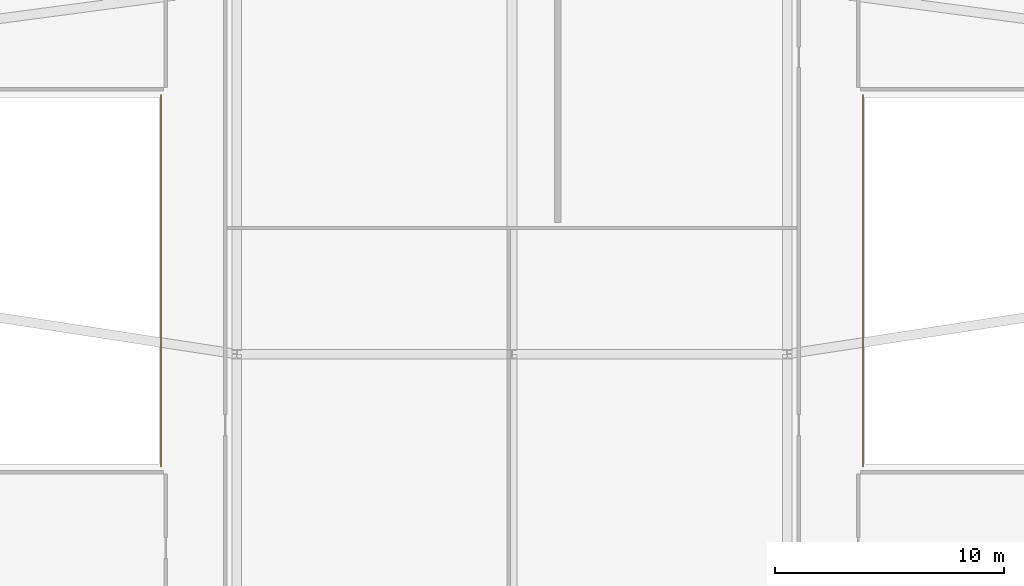
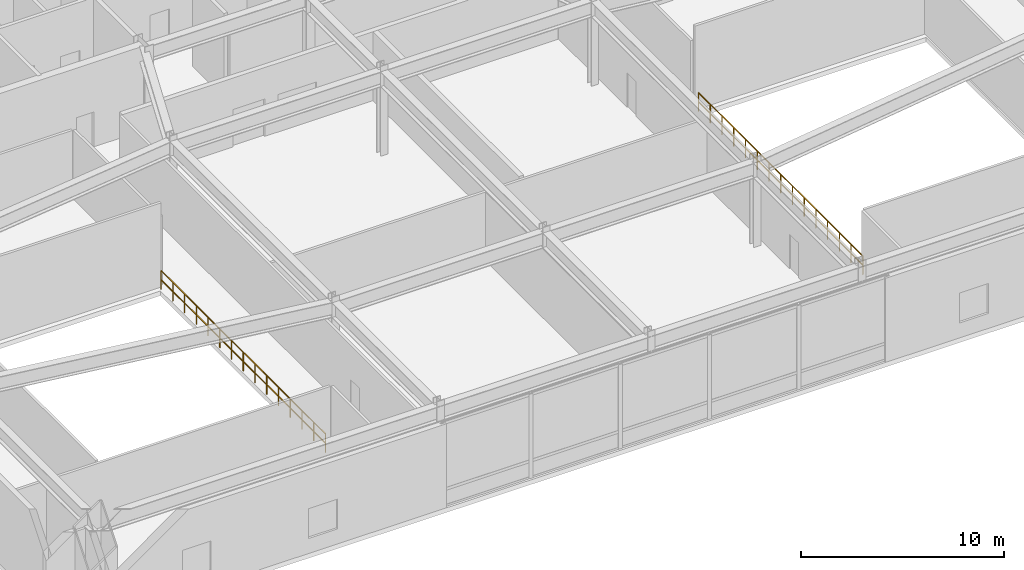
# One storey, part 12 of 13: 2 railings.
"""IFC4 building model written with IfcOpenShell, lengths in metres."""

from ifc_helpers import new_model, si_unit, direction, frame, origin, origin_2d, place, context, subcontext, project, spatial, rectangle, extrude, material, type_object, element, save


model = new_model("IFC4")

# Units and contexts
model_context = context("Model", 3, precision=1e-05, world=origin(), true_north=direction((0.0, 1.0)))
body_context = subcontext(model_context, "Body", "Model", "MODEL_VIEW")
ifc_project = project(units=[si_unit("LENGTHUNIT", "METRE"), si_unit("AREAUNIT", "SQUARE_METRE"), si_unit("VOLUMEUNIT", "CUBIC_METRE"), si_unit("PLANEANGLEUNIT", "RADIAN"), si_unit("MASSUNIT", "GRAM", prefix="KILO")], contexts=[model_context])

# Site, building, storey
site_placement = place(None, origin())
site = spatial("IfcSite", under=ifc_project, at=site_placement, CompositionType="ELEMENT")
building_placement = place(site_placement, origin())
building = spatial("IfcBuilding", under=site, at=building_placement, Name="Varnel Quay Broadcast Tower", CompositionType="ELEMENT")
storey_placement = place(building_placement, frame((0.0, 0.0, 16.800048828125)))
storey = spatial("IfcBuildingStorey", under=building, at=storey_placement, Name="L03", CompositionType="ELEMENT", Elevation=16.800048828125)

# Railings
ifc_material = material(Name="Anodised Bronze Aluminium 6063-T6", Category="aluminium")
railing_type = type_object("IfcRailingType", Name="Rail_Balustrade1150", PredefinedType="BALUSTRADE", material=ifc_material)
railing_1_placement = place(storey_placement, frame((18.699951171875, 7.10009765625, 0.0)))
element("IfcRailing", 1, at=railing_1_placement, inside=storey, type_object=railing_type, Name="L03 STDA Stage Gallery Safety Guard", PredefinedType="BALUSTRADE", context=body_context, shape_type="SweptSolid", body=[
    extrude(rectangle(XDim=0.048095703125, YDim=0.048095703125, at=origin_2d()), frame((0.0, 0.0, 1.1259765625), z_axis=(0.0, 1.0, 0.0), x_axis=(-1.0, 0.0, 0.0)), (0.0, 0.0, 1.0), 16.199951171875),
    extrude(rectangle(XDim=0.048095703125, YDim=0.048095703125, at=origin_2d()), frame((0.0, 0.0, 0.574951171875), z_axis=(0.0, 1.0, 0.0), x_axis=(-1.0, 0.0, 0.0)), (0.0, 0.0, 1.0), 16.199951171875),
    extrude(rectangle(XDim=0.0419921875, YDim=0.0419921875, at=origin_2d()), origin(), (0.0, 0.0, 1.0), 1.101806640625),
    extrude(rectangle(XDim=0.0419921875, YDim=0.0419921875, at=origin_2d()), frame((0.0, 1.1572265625, 0.0)), (0.0, 0.0, 1.0), 1.101806640625),
    extrude(rectangle(XDim=0.0419921875, YDim=0.0419921875, at=origin_2d()), frame((0.0, 2.314208984375, 0.0)), (0.0, 0.0, 1.0), 1.101806640625),
    extrude(rectangle(XDim=0.0419921875, YDim=0.0419921875, at=origin_2d()), frame((0.0, 3.471435546875, 0.0)), (0.0, 0.0, 1.0), 1.101806640625),
    extrude(rectangle(XDim=0.0419921875, YDim=0.0419921875, at=origin_2d()), frame((0.0, 4.628662109375, 0.0)), (0.0, 0.0, 1.0), 1.101806640625),
    extrude(rectangle(XDim=0.0419921875, YDim=0.0419921875, at=origin_2d()), frame((0.0, 5.78564453125, 0.0)), (0.0, 0.0, 1.0), 1.101806640625),
    extrude(rectangle(XDim=0.0419921875, YDim=0.0419921875, at=origin_2d()), frame((0.0, 6.94287109375, 0.0)), (0.0, 0.0, 1.0), 1.101806640625),
    extrude(rectangle(XDim=0.0419921875, YDim=0.0419921875, at=origin_2d()), frame((0.0, 8.10009765625, 0.0)), (0.0, 0.0, 1.0), 1.101806640625),
    extrude(rectangle(XDim=0.0419921875, YDim=0.0419921875, at=origin_2d()), frame((0.0, 9.257080078125, 0.0)), (0.0, 0.0, 1.0), 1.101806640625),
    extrude(rectangle(XDim=0.0419921875, YDim=0.0419921875, at=origin_2d()), frame((0.0, 10.414306640625, 0.0)), (0.0, 0.0, 1.0), 1.101806640625),
    extrude(rectangle(XDim=0.0419921875, YDim=0.0419921875, at=origin_2d()), frame((0.0, 11.5712890625, 0.0)), (0.0, 0.0, 1.0), 1.101806640625),
    extrude(rectangle(XDim=0.0419921875, YDim=0.0419921875, at=origin_2d()), frame((0.0, 12.728515625, 0.0)), (0.0, 0.0, 1.0), 1.101806640625),
    extrude(rectangle(XDim=0.0419921875, YDim=0.0419921875, at=origin_2d()), frame((0.0, 13.8857421875, 0.0)), (0.0, 0.0, 1.0), 1.101806640625),
    extrude(rectangle(XDim=0.0419921875, YDim=0.0419921875, at=origin_2d()), frame((0.0, 15.042724609375, 0.0)), (0.0, 0.0, 1.0), 1.101806640625),
    extrude(rectangle(XDim=0.0419921875, YDim=0.0419921875, at=origin_2d()), frame((0.0, 16.199951171875, 0.0)), (0.0, 0.0, 1.0), 1.101806640625),
])
railing_2_placement = place(storey_placement, frame((49.300048828125, 23.300048828125, 0.0)))
element("IfcRailing", 2, at=railing_2_placement, inside=storey, type_object=railing_type, Name="L03 STDB Stage Gallery Safety Guard", PredefinedType="BALUSTRADE", context=body_context, shape_type="SweptSolid", body=[
    extrude(rectangle(XDim=0.048095703125, YDim=0.048095703125, at=origin_2d()), frame((0.0, 0.0, 1.1259765625), z_axis=(0.0, -1.0, 0.0), x_axis=(1.0, 0.0, 0.0)), (0.0, 0.0, 1.0), 16.199951171875),
    extrude(rectangle(XDim=0.048095703125, YDim=0.048095703125, at=origin_2d()), frame((0.0, 0.0, 0.574951171875), z_axis=(0.0, -1.0, 0.0), x_axis=(1.0, 0.0, 0.0)), (0.0, 0.0, 1.0), 16.199951171875),
    extrude(rectangle(XDim=0.0419921875, YDim=0.0419921875, at=origin_2d()), origin(), (0.0, 0.0, 1.0), 1.101806640625),
    extrude(rectangle(XDim=0.0419921875, YDim=0.0419921875, at=origin_2d()), frame((0.0, -1.1572265625, 0.0)), (0.0, 0.0, 1.0), 1.101806640625),
    extrude(rectangle(XDim=0.0419921875, YDim=0.0419921875, at=origin_2d()), frame((0.0, -2.314208984375, 0.0)), (0.0, 0.0, 1.0), 1.101806640625),
    extrude(rectangle(XDim=0.0419921875, YDim=0.0419921875, at=origin_2d()), frame((0.0, -3.471435546875, 0.0)), (0.0, 0.0, 1.0), 1.101806640625),
    extrude(rectangle(XDim=0.0419921875, YDim=0.0419921875, at=origin_2d()), frame((0.0, -4.628662109375, 0.0)), (0.0, 0.0, 1.0), 1.101806640625),
    extrude(rectangle(XDim=0.0419921875, YDim=0.0419921875, at=origin_2d()), frame((0.0, -5.78564453125, 0.0)), (0.0, 0.0, 1.0), 1.101806640625),
    extrude(rectangle(XDim=0.0419921875, YDim=0.0419921875, at=origin_2d()), frame((0.0, -6.94287109375, 0.0)), (0.0, 0.0, 1.0), 1.101806640625),
    extrude(rectangle(XDim=0.0419921875, YDim=0.0419921875, at=origin_2d()), frame((0.0, -8.10009765625, 0.0)), (0.0, 0.0, 1.0), 1.101806640625),
    extrude(rectangle(XDim=0.0419921875, YDim=0.0419921875, at=origin_2d()), frame((0.0, -9.257080078125, 0.0)), (0.0, 0.0, 1.0), 1.101806640625),
    extrude(rectangle(XDim=0.0419921875, YDim=0.0419921875, at=origin_2d()), frame((0.0, -10.414306640625, 0.0)), (0.0, 0.0, 1.0), 1.101806640625),
    extrude(rectangle(XDim=0.0419921875, YDim=0.0419921875, at=origin_2d()), frame((0.0, -11.5712890625, 0.0)), (0.0, 0.0, 1.0), 1.101806640625),
    extrude(rectangle(XDim=0.0419921875, YDim=0.0419921875, at=origin_2d()), frame((0.0, -12.728515625, 0.0)), (0.0, 0.0, 1.0), 1.101806640625),
    extrude(rectangle(XDim=0.0419921875, YDim=0.0419921875, at=origin_2d()), frame((0.0, -13.8857421875, 0.0)), (0.0, 0.0, 1.0), 1.101806640625),
    extrude(rectangle(XDim=0.0419921875, YDim=0.0419921875, at=origin_2d()), frame((0.0, -15.042724609375, 0.0)), (0.0, 0.0, 1.0), 1.101806640625),
    extrude(rectangle(XDim=0.0419921875, YDim=0.0419921875, at=origin_2d()), frame((0.0, -16.199951171875, 0.0)), (0.0, 0.0, 1.0), 1.101806640625),
])

save(model, "model.ifc")
